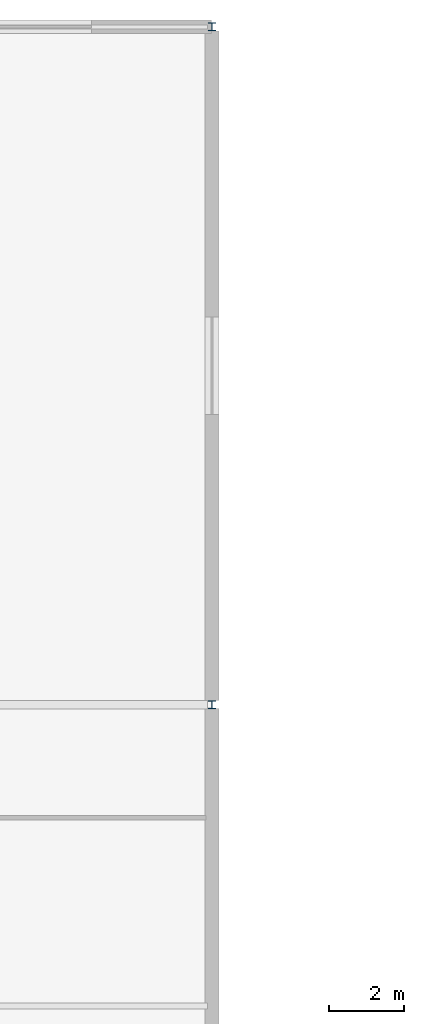
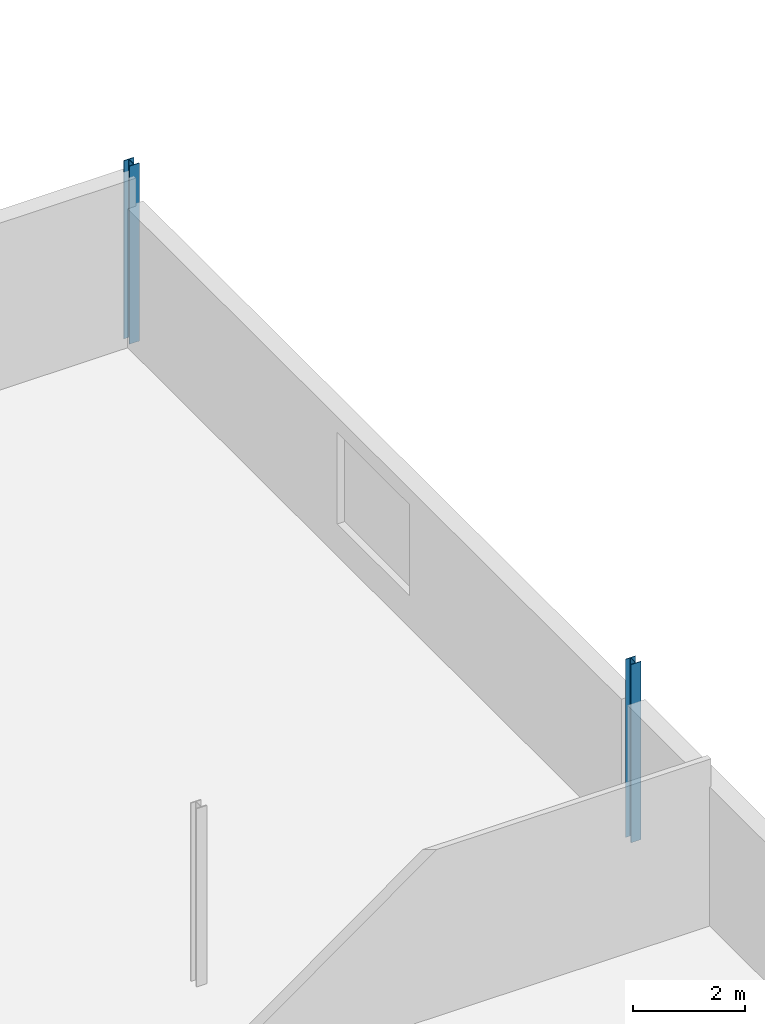
# One storey, part 8 of 35: 2 columns.
"""IFC4 building model written with IfcOpenShell, lengths in metres."""

from ifc_helpers import new_model, si_unit, direction, frame, origin, origin_2d, place, context, subcontext, project, spatial, i_section, extrude, material, material_profile, profile_set, type_object, element, save


model = new_model("IFC4")

# Units and contexts
model_context = context("Model", 3, precision=1e-05, world=origin(), true_north=direction((0.0, 1.0)))
body_context = subcontext(model_context, "Body", "Model", "MODEL_VIEW")
ifc_project = project(units=[si_unit("LENGTHUNIT", "METRE"), si_unit("AREAUNIT", "SQUARE_METRE"), si_unit("VOLUMEUNIT", "CUBIC_METRE"), si_unit("PLANEANGLEUNIT", "RADIAN"), si_unit("MASSUNIT", "GRAM", prefix="KILO")], contexts=[model_context])

# Site, building, storey
site_placement = place(None, origin())
site = spatial("IfcSite", under=ifc_project, at=site_placement, CompositionType="ELEMENT")
building_placement = place(site_placement, origin())
building = spatial("IfcBuilding", under=site, at=building_placement, Name="Kisiwana Market Hall", CompositionType="ELEMENT")
storey_placement = place(building_placement, frame((0.0, 0.0, 57.89990234375)))
storey = spatial("IfcBuildingStorey", under=building, at=storey_placement, Name="L13", CompositionType="ELEMENT", Elevation=57.89990234375)

# Columns
ifc_material = material(Name="Steel S355", Category="steel")
ifc_material_profile = material_profile(ifc_material, i_section(OverallWidth=0.205810546875, OverallDepth=0.209716796875, WebThickness=0.009521484375, FlangeThickness=0.01416015625, FilletRadius=0.01025390625, at=origin_2d()), Name="UC 203x203x60")
ifc_profile_set = profile_set([ifc_material_profile], Name="Steel S355")
column_type = type_object("IfcColumnType", Name="COL-STL-UC060", PredefinedType="COLUMN", material=ifc_profile_set)
for number, where, z_axis, x_axis, name in (
    (1, (36.0, 84.0, 0.0), (0.0, 0.0, 1.0), (1.0, 0.0, 0.0), "Column L/5 (L13) C-1418"),
    (2, (36.0, 102.0, 0.0), (0.0, 0.0, 1.0), (1.0, 0.0, 0.0), "Column N/5 (L13) C-1419"),
):
    element("IfcColumn", number, at=place(storey_placement, frame(where, z_axis=z_axis, x_axis=x_axis)), inside=storey, type_object=column_type, Name=name, PredefinedType="COLUMN", context=body_context, shape_type="SweptSolid", body=[
        extrude(i_section(OverallWidth=0.205810546875, OverallDepth=0.209716796875, WebThickness=0.009521484375, FlangeThickness=0.01416015625, FilletRadius=0.01025390625, at=origin_2d()), origin(), (0.0, 0.0, 1.0), 3.900146484375),
    ])

save(model, "model.ifc")
